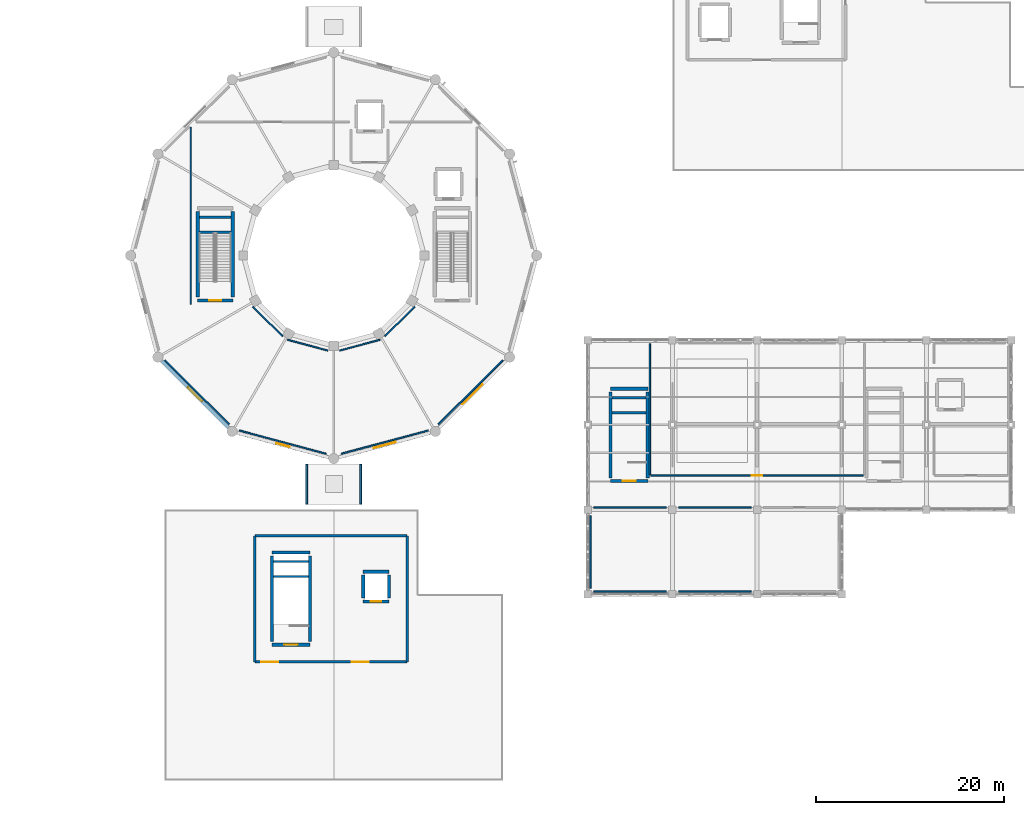
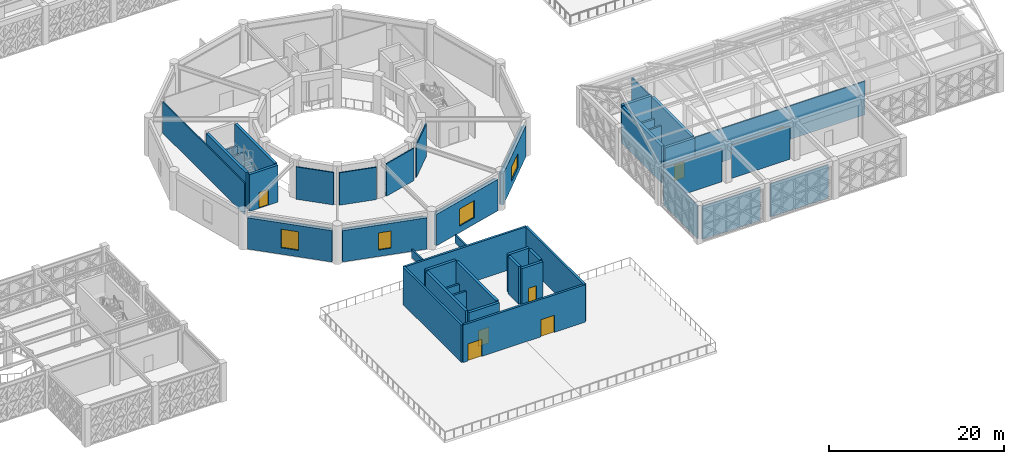
# One storey, part 71 of 86: 47 walls, 7 doors, 4 windows, 11 openings.
"""IFC4 building model written with IfcOpenShell, lengths in metres."""

from ifc_helpers import new_model, si_unit, direction, frame, frame_2d, origin, place, context, subcontext, project, spatial, rectangle, extrude, material, layer, layer_set, type_object, element, fill, save


model = new_model("IFC4")

# Units and contexts
model_context = context("Model", 3, precision=1e-05, world=origin(), true_north=direction((0.0, 1.0)))
body_context = subcontext(model_context, "Body", "Model", "MODEL_VIEW")
ifc_project = project(units=[si_unit("LENGTHUNIT", "METRE"), si_unit("AREAUNIT", "SQUARE_METRE"), si_unit("VOLUMEUNIT", "CUBIC_METRE"), si_unit("PLANEANGLEUNIT", "RADIAN"), si_unit("MASSUNIT", "GRAM", prefix="KILO")], contexts=[model_context])

# Site, building, storey
site_placement = place(None, origin())
site = spatial("IfcSite", under=ifc_project, at=site_placement, CompositionType="ELEMENT")
building_placement = place(site_placement, origin())
building = spatial("IfcBuilding", under=site, at=building_placement, Name="Haizhuo Lancet Aquarium", CompositionType="ELEMENT")
storey_placement = place(building_placement, frame((0.0, 0.0, 16.199951171875)))
storey = spatial("IfcBuildingStorey", under=building, at=storey_placement, Name="L03", CompositionType="ELEMENT", Elevation=16.199951171875)

# Walls
ifc_material_1 = material(Name="Shandong Grey Limestone Ashlar", Category="masonry")
ifc_layer_1 = layer(ifc_material_1, 0.280029296875)
ifc_layer_set_1 = layer_set([ifc_layer_1], Name="Shandong Grey Limestone Ashlar")
wall_type_1 = type_object("IfcWallType", Name="EWL-ASH-280", PredefinedType="SOLIDWALL", material=ifc_layer_set_1)
wall_1_placement = place(storey_placement, frame((-8.39990234375, -29.800048828125, 0.0), z_axis=(0.0, 0.0, 1.0), x_axis=(1.0, 0.0, 0.0)))
element("IfcWall", 1, at=wall_1_placement, inside=storey, type_object=wall_type_1, Name="L03 V4 roof garden pavilion wall 1", PredefinedType="SOLIDWALL", context=body_context, shape_type="SweptSolid", body=[
    extrude(rectangle(XDim=16.199951171875, YDim=0.280029296875, at=frame_2d((8.10009765625, 0.0))), origin(), (0.0, 0.0, 1.0), 5.25),
])
wall_2_placement = place(storey_placement, frame((7.800048828125, -29.800048828125, 0.0), z_axis=(0.0, 0.0, 1.0), x_axis=(0.0, -1.0, 0.0)))
element("IfcWall", 2, at=wall_2_placement, inside=storey, type_object=wall_type_1, Name="L03 V4 roof garden pavilion wall 2", PredefinedType="SOLIDWALL", context=body_context, shape_type="SweptSolid", body=[
    extrude(rectangle(XDim=13.39990234375, YDim=0.280029296875, at=frame_2d((6.699951171875, 0.0))), origin(), (0.0, 0.0, 1.0), 5.25),
])

# Wall, openings, doors
wall_3_placement = place(storey_placement, frame((7.800048828125, -43.199951171875, 0.0), z_axis=(0.0, 0.0, 1.0), x_axis=(-1.0, 0.0, 0.0)))
wall_3 = element("IfcWall", 3, at=wall_3_placement, inside=storey, type_object=wall_type_1, Name="L03 V4 roof garden pavilion wall 3", PredefinedType="SOLIDWALL", context=body_context, shape_type="SweptSolid", body=[
    extrude(rectangle(XDim=16.199951171875, YDim=0.280029296875, at=frame_2d((8.10009765625, 0.0))), origin(), (0.0, 0.0, 1.0), 5.25),
])
opening_1_placement = place(wall_3_placement, frame((4.10009765625, 0.0, 0.0)))
opening_1 = element("IfcOpeningElement", 4, at=opening_1_placement, cuts=wall_3, Name="Opening TD-02", PredefinedType="OPENING", context=body_context, shape_type="SweptSolid", body=[
    extrude(rectangle(XDim=1.800048828125, YDim=2.39990234375, at=frame_2d((0.89990234375, 1.199951171875))), frame((0.0, 0.14990234375, 0.0), z_axis=(0.0, -1.0, 0.0), x_axis=(1.0, 0.0, 0.0)), (0.0, 0.0, 1.0), 0.300029),
])
opening_2_placement = place(wall_3_placement, frame((13.699951171875, 0.0, 0.0)))
opening_2 = element("IfcOpeningElement", 5, at=opening_2_placement, cuts=wall_3, Name="Opening TD-02", PredefinedType="OPENING", context=body_context, shape_type="SweptSolid", body=[
    extrude(rectangle(XDim=1.800048828125, YDim=2.39990234375, at=frame_2d((0.89990234375, 1.199951171875))), frame((0.0, 0.14990234375, 0.0), z_axis=(0.0, -1.0, 0.0), x_axis=(1.0, 0.0, 0.0)), (0.0, 0.0, 1.0), 0.300029),
])
ifc_material_2 = material(Name="Aluminium 6063-T6", Category="aluminium")
door_type_1 = type_object("IfcDoorType", Name="EDR-TERR-1800x2400", OperationType="NOTDEFINED", PredefinedType="DOOR", material=ifc_material_2)
door_1_placement = place(opening_1_placement, origin())
door_1 = element("IfcDoor", 6, at=door_1_placement, inside=storey, type_object=door_type_1, Name="L03 V4 planted roof garden access door 1", OperationType="DOUBLE_DOOR_SINGLE_SWING", OverallHeight=2.39990234375, OverallWidth=1.800048828125, PredefinedType="DOOR", context=body_context, shape_type="SweptSolid", body=[
    extrude(rectangle(XDim=1.800048828125, YDim=2.39990234375, at=frame_2d((0.89990234375, 1.199951171875))), frame((0.0, 0.02490234375, 0.0), z_axis=(0.0, -1.0, 0.0), x_axis=(1.0, 0.0, 0.0)), (0.0, 0.0, 1.0), 0.050048828125),
])
fill(opening_1, door_1)
door_2_placement = place(opening_2_placement, origin())
door_2 = element("IfcDoor", 7, at=door_2_placement, inside=storey, type_object=door_type_1, Name="L03 V4 planted roof garden access door 2", OperationType="DOUBLE_DOOR_SINGLE_SWING", OverallHeight=2.39990234375, OverallWidth=1.800048828125, PredefinedType="DOOR", context=body_context, shape_type="SweptSolid", body=[
    extrude(rectangle(XDim=1.800048828125, YDim=2.39990234375, at=frame_2d((0.89990234375, 1.199951171875))), frame((0.0, 0.02490234375, 0.0), z_axis=(0.0, -1.0, 0.0), x_axis=(1.0, 0.0, 0.0)), (0.0, 0.0, 1.0), 0.050048828125),
])
fill(opening_2, door_2)

# Wall
wall_4_placement = place(storey_placement, frame((-8.39990234375, -43.199951171875, 0.0), z_axis=(0.0, 0.0, 1.0), x_axis=(0.0, 1.0, 0.0)))
element("IfcWall", 8, at=wall_4_placement, inside=storey, type_object=wall_type_1, Name="L03 V4 roof garden pavilion wall 4", PredefinedType="SOLIDWALL", context=body_context, shape_type="SweptSolid", body=[
    extrude(rectangle(XDim=13.39990234375, YDim=0.280029296875, at=frame_2d((6.699951171875, 0.0))), origin(), (0.0, 0.0, 1.0), 5.25),
])

# Wall, opening, window
ifc_layer_2 = layer(ifc_material_1, 0.360107421875)
ifc_layer_set_2 = layer_set([ifc_layer_2], Name="Shandong Grey Limestone Ashlar")
wall_type_2 = type_object("IfcWallType", Name="EWL-ASH-360", PredefinedType="SOLIDWALL", material=ifc_layer_set_2)
wall_5_placement = place(storey_placement, frame((-11.220947265625, -18.284912109375, 0.0), z_axis=(0.0, 0.0, 1.0), x_axis=(-0.707106781187, 0.707106781187, 0.0)))
wall_5 = element("IfcWall", 9, at=wall_5_placement, inside=storey, type_object=wall_type_2, Name="L03 V1 limestone drum wall bay 8", PredefinedType="SOLIDWALL", context=body_context, shape_type="SweptSolid", body=[
    extrude(rectangle(XDim=9.989990234375, YDim=0.360107421875, at=frame_2d((4.9951171875, 0.0))), origin(), (0.0, 0.0, 1.0), 4.385009765625),
])
opening_3_placement = place(wall_5_placement, frame((3.945068359375, 0.0, 0.89990234375)))
opening_3 = element("IfcOpeningElement", 10, at=opening_3_placement, cuts=wall_5, Name="Opening WN-07", PredefinedType="OPENING", context=body_context, shape_type="SweptSolid", body=[
    extrude(rectangle(XDim=2.10009765625, YDim=2.60009765625, at=frame_2d((1.050048828125, 1.300048828125))), frame((0.0, 0.18994140625, 0.0), z_axis=(0.0, -1.0, 0.0), x_axis=(1.0, 0.0, 0.0)), (0.0, 0.0, 1.0), 0.380107),
])
ifc_material_3 = material(Name="Laminated Low-E Glass", Category="glass")
window_type_1 = type_object("IfcWindowType", Name="WIN-LAN-2100x2600", PartitioningType="SINGLE_PANEL", PredefinedType="WINDOW", material=ifc_material_3)
window_1_placement = place(opening_3_placement, origin())
window_1 = element("IfcWindow", 11, at=window_1_placement, inside=storey, type_object=window_type_1, Name="L03 Gothic lancet window 40", OverallHeight=2.60009765625, OverallWidth=2.10009765625, PartitioningType="SINGLE_PANEL", PredefinedType="WINDOW", context=body_context, shape_type="SweptSolid", body=[
    extrude(rectangle(XDim=2.10009765625, YDim=2.60009765625, at=frame_2d((1.050048828125, 1.300048828125))), frame((0.0, 0.030029296875, 0.0), z_axis=(0.0, -1.0, 0.0), x_axis=(1.0, 0.0, 0.0)), (0.0, 0.0, 1.0), 0.06005859375),
])
fill(opening_3, window_1)

wall_6_placement = place(storey_placement, frame((-0.574951171875, -21.446044921875, 0.0), z_axis=(0.0, 0.0, 1.0), x_axis=(-0.965921108134, 0.258836652854, 0.0)))
wall_6 = element("IfcWall", 12, at=wall_6_placement, inside=storey, type_object=wall_type_2, Name="L03 V1 limestone drum wall bay 9", PredefinedType="SOLIDWALL", context=body_context, shape_type="SweptSolid", body=[
    extrude(rectangle(XDim=9.99072265625, YDim=0.360107421875, at=frame_2d((4.995361328125, 0.0))), origin(), (0.0, 0.0, 1.0), 4.385009765625),
])
opening_4_placement = place(wall_6_placement, frame((4.2451171875, 0.0, 0.89990234375)))
opening_4 = element("IfcOpeningElement", 13, at=opening_4_placement, cuts=wall_6, Name="Opening WN-04", PredefinedType="OPENING", context=body_context, shape_type="SweptSolid", body=[
    extrude(rectangle(XDim=1.5, YDim=2.39990234375, at=frame_2d((0.75, 1.199951171875))), frame((0.0, 0.18994140625, 0.0), z_axis=(0.0, -1.0, 0.0), x_axis=(1.0, 0.0, 0.0)), (0.0, 0.0, 1.0), 0.380107),
])
window_type_2 = type_object("IfcWindowType", Name="WIN-LAN-1500x2400", PartitioningType="SINGLE_PANEL", PredefinedType="WINDOW", material=ifc_material_3)
window_2_placement = place(opening_4_placement, origin())
window_2 = element("IfcWindow", 14, at=window_2_placement, inside=storey, type_object=window_type_2, Name="L03 Gothic lancet window 41", OverallHeight=2.39990234375, OverallWidth=1.5, PartitioningType="SINGLE_PANEL", PredefinedType="WINDOW", context=body_context, shape_type="SweptSolid", body=[
    extrude(rectangle(XDim=1.5, YDim=2.39990234375, at=frame_2d((0.75, 1.199951171875))), frame((0.0, 0.030029296875, 0.0), z_axis=(0.0, -1.0, 0.0), x_axis=(1.0, 0.0, 0.0)), (0.0, 0.0, 1.0), 0.06005859375),
])
fill(opening_4, window_2)

wall_7_placement = place(storey_placement, frame((10.22509765625, -18.860107421875, 0.0), z_axis=(0.0, 0.0, 1.0), x_axis=(-0.965921108134, -0.258836652854, 0.0)))
wall_7 = element("IfcWall", 15, at=wall_7_placement, inside=storey, type_object=wall_type_2, Name="L03 V1 limestone drum wall bay 10", PredefinedType="SOLIDWALL", context=body_context, shape_type="SweptSolid", body=[
    extrude(rectangle(XDim=9.99072265625, YDim=0.360107421875, at=frame_2d((4.995361328125, 0.0))), origin(), (0.0, 0.0, 1.0), 4.385009765625),
])
opening_5_placement = place(wall_7_placement, frame((3.794921875, 0.0, 0.89990234375)))
opening_5 = element("IfcOpeningElement", 16, at=opening_5_placement, cuts=wall_7, Name="Opening WN-08", PredefinedType="OPENING", context=body_context, shape_type="SweptSolid", body=[
    extrude(rectangle(XDim=2.39990234375, YDim=2.39990234375, at=frame_2d((1.199951171875, 1.199951171875))), frame((0.0, 0.18994140625, 0.0), z_axis=(0.0, -1.0, 0.0), x_axis=(1.0, 0.0, 0.0)), (0.0, 0.0, 1.0), 0.380107),
])
window_type_3 = type_object("IfcWindowType", Name="WIN-LAN-2400x2400", PartitioningType="SINGLE_PANEL", PredefinedType="WINDOW", material=ifc_material_3)
window_3_placement = place(opening_5_placement, origin())
window_3 = element("IfcWindow", 17, at=window_3_placement, inside=storey, type_object=window_type_3, Name="L03 Gothic lancet window 42", OverallHeight=2.39990234375, OverallWidth=2.39990234375, PartitioningType="SINGLE_PANEL", PredefinedType="WINDOW", context=body_context, shape_type="SweptSolid", body=[
    extrude(rectangle(XDim=2.39990234375, YDim=2.39990234375, at=frame_2d((1.199951171875, 1.199951171875))), frame((0.0, 0.030029296875, 0.0), z_axis=(0.0, -1.0, 0.0), x_axis=(1.0, 0.0, 0.0)), (0.0, 0.0, 1.0), 0.06005859375),
])
fill(opening_5, window_3)

wall_8_placement = place(storey_placement, frame((18.284912109375, -11.220947265625, 0.0), z_axis=(0.0, 0.0, 1.0), x_axis=(-0.707106781187, -0.707106781187, 0.0)))
wall_8 = element("IfcWall", 18, at=wall_8_placement, inside=storey, type_object=wall_type_2, Name="L03 V1 limestone drum wall bay 11", PredefinedType="SOLIDWALL", context=body_context, shape_type="SweptSolid", body=[
    extrude(rectangle(XDim=9.989990234375, YDim=0.360107421875, at=frame_2d((4.9951171875, 0.0))), origin(), (0.0, 0.0, 1.0), 4.385009765625),
])
opening_6_placement = place(wall_8_placement, frame((3.4951171875, 0.0, 0.89990234375)))
opening_6 = element("IfcOpeningElement", 19, at=opening_6_placement, cuts=wall_8, Name="Opening WN-10", PredefinedType="OPENING", context=body_context, shape_type="SweptSolid", body=[
    extrude(rectangle(XDim=3.0, YDim=2.0, at=frame_2d((1.5, 1.0))), frame((0.0, 0.18994140625, 0.0), z_axis=(0.0, -1.0, 0.0), x_axis=(1.0, 0.0, 0.0)), (0.0, 0.0, 1.0), 0.380107),
])
window_type_4 = type_object("IfcWindowType", Name="WIN-LAN-3000x2000", PartitioningType="SINGLE_PANEL", PredefinedType="WINDOW", material=ifc_material_3)
window_4_placement = place(opening_6_placement, origin())
window_4 = element("IfcWindow", 20, at=window_4_placement, inside=storey, type_object=window_type_4, Name="L03 Gothic lancet window 43", OverallHeight=2.0, OverallWidth=3.0, PartitioningType="SINGLE_PANEL", PredefinedType="WINDOW", context=body_context, shape_type="SweptSolid", body=[
    extrude(rectangle(XDim=3.0, YDim=2.0, at=frame_2d((1.5, 1.0))), frame((0.0, 0.030029296875, 0.0), z_axis=(0.0, -1.0, 0.0), x_axis=(1.0, 0.0, 0.0)), (0.0, 0.0, 1.0), 0.06005859375),
])
fill(opening_6, window_4)

# Walls
ifc_layer_3 = layer(ifc_material_1, 0.18994140625)
ifc_layer_set_3 = layer_set([ifc_layer_3], Name="Shandong Grey Limestone Ashlar")
wall_type_3 = type_object("IfcWallType", Name="EWL-PAR-190", PredefinedType="PARAPET", material=ifc_layer_set_3)
for number, where, z_axis, x_axis, name in (
    (21, (-2.8798828125, -26.429931640625, 0.0), (0.0, 0.0, 1.0), (0.0, 1.0, 0.0), "Sky-bridge roof parapet SB-04 W"),
    (22, (2.8798828125, -26.429931640625, 0.0), (0.0, 0.0, 1.0), (0.0, 1.0, 0.0), "Sky-bridge roof parapet SB-04 E"),
):
    element("IfcWall", number, at=place(storey_placement, frame(where, z_axis=z_axis, x_axis=x_axis)), inside=storey, type_object=wall_type_3, Name=name, PredefinedType="PARAPET", context=body_context, shape_type="SweptSolid", body=[
        extrude(rectangle(XDim=4.260009765625, YDim=0.18994140625, at=frame_2d((2.1298828125, 0.0))), origin(), (0.0, 0.0, 1.0), 1.150146484375),
    ])
ifc_material_4 = material(Name="Gypsum Fireboard Partition")
ifc_layer_4 = layer(ifc_material_4, 0.14990234375)
ifc_layer_set_4 = layer_set([ifc_layer_4], Name="Gypsum Fireboard Partition")
wall_type_4 = type_object("IfcWallType", Name="IWL-STD-150", PredefinedType="PARTITIONING", material=ifc_layer_set_4)
wall_9_placement = place(storey_placement, frame((-17.946044921875, -11.135009765625, 0.0), z_axis=(0.0, 0.0, 1.0), x_axis=(0.707056083443, -0.707157475295, 0.0)))
element("IfcWall", 23, at=wall_9_placement, inside=storey, type_object=wall_type_4, Name="L03 partition wall 451", PredefinedType="PARTITIONING", context=body_context, shape_type="SweptSolid", body=[
    extrude(rectangle(XDim=9.631591796875, YDim=0.14990234375, at=frame_2d((4.81591796875, 0.0))), origin(), (0.0, 0.0, 1.0), 4.385009765625),
])
wall_10_placement = place(storey_placement, frame((-10.0400390625, -18.59912109375, 0.0), z_axis=(0.0, 0.0, 1.0), x_axis=(0.965936310931, -0.258779912716, 0.0)))
element("IfcWall", 24, at=wall_10_placement, inside=storey, type_object=wall_type_4, Name="L03 partition wall 452", PredefinedType="PARTITIONING", context=body_context, shape_type="SweptSolid", body=[
    extrude(rectangle(XDim=9.559814453125, YDim=0.14990234375, at=frame_2d((4.77978515625, 0.0))), origin(), (0.0, 0.0, 1.0), 4.385009765625),
])
wall_11_placement = place(storey_placement, frame((0.787109375, -21.076904296875, 0.0), z_axis=(0.0, 0.0, 1.0), x_axis=(0.965965793981, 0.258669837549, 0.0)))
element("IfcWall", 25, at=wall_11_placement, inside=storey, type_object=wall_type_4, Name="L03 partition wall 453", PredefinedType="PARTITIONING", context=body_context, shape_type="SweptSolid", body=[
    extrude(rectangle(XDim=9.578857421875, YDim=0.14990234375, at=frame_2d((4.78955078125, 0.0))), origin(), (0.0, 0.0, 1.0), 4.385009765625),
])
wall_12_placement = place(storey_placement, frame((11.12890625, -17.946044921875, 0.0), z_axis=(0.0, 0.0, 1.0), x_axis=(0.707474066545, 0.706739304953, 0.0)))
element("IfcWall", 26, at=wall_12_placement, inside=storey, type_object=wall_type_4, Name="L03 partition wall 454", PredefinedType="PARTITIONING", context=body_context, shape_type="SweptSolid", body=[
    extrude(rectangle(XDim=9.635986328125, YDim=0.14990234375, at=frame_2d((4.81787109375, 0.0))), origin(), (0.0, 0.0, 1.0), 4.385009765625),
])
wall_13_placement = place(storey_placement, frame((8.593017578125, -5.43994140625, 0.0), z_axis=(0.0, 0.0, 1.0), x_axis=(-0.707106781187, -0.707106781187, 0.0)))
element("IfcWall", 27, at=wall_13_placement, inside=storey, type_object=wall_type_4, Name="L03 partition wall 459", PredefinedType="PARTITIONING", context=body_context, shape_type="SweptSolid", body=[
    extrude(rectangle(XDim=4.459228515625, YDim=0.14990234375, at=frame_2d((2.2294921875, 0.0))), origin(), (0.0, 0.0, 1.0), 4.53515625),
])
for number, where, z_axis, x_axis, name in (
    (28, (4.922119140625, -8.9541015625, 0.0), (0.0, 0.0, 1.0), (-0.965895929323, -0.258930596333, 0.0), "L03 partition wall 460"),
    (29, (-0.639892578125, -10.10205078125, 0.0), (0.0, 0.0, 1.0), (-0.965895929323, 0.258930596333, 0.0), "L03 partition wall 461"),
):
    element("IfcWall", number, at=place(storey_placement, frame(where, z_axis=z_axis, x_axis=x_axis)), inside=storey, type_object=wall_type_4, Name=name, PredefinedType="PARTITIONING", context=body_context, shape_type="SweptSolid", body=[
        extrude(rectangle(XDim=4.433349609375, YDim=0.14990234375, at=frame_2d((2.216796875, 0.0))), origin(), (0.0, 0.0, 1.0), 4.53515625),
    ])
wall_14_placement = place(storey_placement, frame((-5.43994140625, -8.593017578125, 0.0), z_axis=(0.0, 0.0, 1.0), x_axis=(-0.707106781187, 0.707106781187, 0.0)))
element("IfcWall", 30, at=wall_14_placement, inside=storey, type_object=wall_type_4, Name="L03 partition wall 462", PredefinedType="PARTITIONING", context=body_context, shape_type="SweptSolid", body=[
    extrude(rectangle(XDim=4.459228515625, YDim=0.14990234375, at=frame_2d((2.2294921875, 0.0))), origin(), (0.0, 0.0, 1.0), 4.53515625),
])
wall_15_placement = place(storey_placement, frame((-15.199951171875, -5.199951171875, 0.0), z_axis=(0.0, 0.0, 1.0), x_axis=(0.0, 1.0, 0.0)))
element("IfcWall", 31, at=wall_15_placement, inside=storey, type_object=wall_type_4, Name="L03 partition wall 463", PredefinedType="PARTITIONING", context=body_context, shape_type="SweptSolid", body=[
    extrude(rectangle(XDim=18.83984375, YDim=0.14990234375, at=frame_2d((9.419921875, 0.0))), origin(), (0.0, 0.0, 1.0), 4.385009765625),
])
wall_16_placement = place(storey_placement, frame((33.60009765625, -9.389892578125, 0.0), z_axis=(0.0, 0.0, 1.0), x_axis=(0.0, -1.0, 0.0)))
element("IfcWall", 32, at=wall_16_placement, inside=storey, type_object=wall_type_4, Name="L03 partition wall 472", PredefinedType="PARTITIONING", context=body_context, shape_type="SweptSolid", body=[
    extrude(rectangle(XDim=13.91015625, YDim=0.14990234375, at=frame_2d((6.955078125, 0.0))), origin(), (0.0, 0.0, 1.0), 4.635009765625),
])

# Wall, opening, door
wall_17_placement = place(storey_placement, frame((33.699951171875, -23.39990234375, 0.0), z_axis=(0.0, 0.0, 1.0), x_axis=(1.0, 0.0, 0.0)))
wall_17 = element("IfcWall", 33, at=wall_17_placement, inside=storey, type_object=wall_type_4, Name="L03 partition wall 473", PredefinedType="PARTITIONING", context=body_context, shape_type="SweptSolid", body=[
    extrude(rectangle(XDim=22.60009765625, YDim=0.14990234375, at=frame_2d((11.300048828125, 0.0))), origin(), (0.0, 0.0, 1.0), 4.68505859375),
])
opening_7_placement = place(wall_17_placement, frame((10.75, 0.0, 0.0)))
opening_7 = element("IfcOpeningElement", 34, at=opening_7_placement, cuts=wall_17, Name="Opening D-05", PredefinedType="OPENING", context=body_context, shape_type="SweptSolid", body=[
    extrude(rectangle(XDim=1.10009765625, YDim=2.14990234375, at=frame_2d((0.550048828125, 1.074951171875))), frame((0.0, 0.0849609375, 0.0), z_axis=(0.0, -1.0, 0.0), x_axis=(1.0, 0.0, 0.0)), (0.0, 0.0, 1.0), 0.169902),
])
door_type_2 = type_object("IfcDoorType", Name="IDR-CLS-1100x2150", OperationType="NOTDEFINED", PredefinedType="DOOR", material=ifc_material_2)
door_3_placement = place(opening_7_placement, origin())
door_3 = element("IfcDoor", 35, at=door_3_placement, inside=storey, type_object=door_type_2, Name="L03 Marine Education Study Hall door", OperationType="SINGLE_SWING_RIGHT", OverallHeight=2.14990234375, OverallWidth=1.10009765625, PredefinedType="DOOR", context=body_context, shape_type="SweptSolid", body=[
    extrude(rectangle(XDim=1.10009765625, YDim=2.14990234375, at=frame_2d((0.550048828125, 1.074951171875))), frame((0.0, 0.02490234375, 0.0), z_axis=(0.0, -1.0, 0.0), x_axis=(1.0, 0.0, 0.0)), (0.0, 0.0, 1.0), 0.050048828125),
])
fill(opening_7, door_3)

# Walls
wall_18_placement = place(storey_placement, frame((27.300048828125, -27.64990234375, 0.0), z_axis=(0.0, 0.0, 1.0), x_axis=(0.0, -1.0, 0.0)))
element("IfcWall", 36, at=wall_18_placement, inside=storey, type_object=wall_type_4, Name="L03 partition wall 483", PredefinedType="PARTITIONING", context=body_context, shape_type="SweptSolid", body=[
    extrude(rectangle(XDim=7.7001953125, YDim=0.14990234375, at=frame_2d((3.85009765625, 0.0))), origin(), (0.0, 0.0, 1.0), 4.68505859375),
])
wall_19_placement = place(storey_placement, frame((27.639892578125, -35.696044921875, 0.0), z_axis=(0.0, 0.0, 1.0), x_axis=(0.999999871661, -0.00050663367, 0.0)))
element("IfcWall", 37, at=wall_19_placement, inside=storey, type_object=wall_type_4, Name="L03 partition wall 484", PredefinedType="PARTITIONING", context=body_context, shape_type="SweptSolid", body=[
    extrude(rectangle(XDim=7.710205078125, YDim=0.14990234375, at=frame_2d((3.85498046875, 0.0))), origin(), (0.0, 0.0, 1.0), 4.635009765625),
])
wall_20_placement = place(storey_placement, frame((36.64990234375, -35.699951171875, 0.0), z_axis=(0.0, 0.0, 1.0), x_axis=(1.0, 0.0, 0.0)))
element("IfcWall", 38, at=wall_20_placement, inside=storey, type_object=wall_type_4, Name="L03 partition wall 485", PredefinedType="PARTITIONING", context=body_context, shape_type="SweptSolid", body=[
    extrude(rectangle(XDim=7.7001953125, YDim=0.14990234375, at=frame_2d((3.85009765625, 0.0))), origin(), (0.0, 0.0, 1.0), 4.635009765625),
])
for number, where, z_axis, x_axis, name in (
    (39, (44.360107421875, -26.800048828125, 0.0), (0.0, 0.0, 1.0), (-1.0, 0.0, 0.0), "L03 partition wall 489"),
    (40, (35.360107421875, -26.800048828125, 0.0), (0.0, 0.0, 1.0), (-1.0, 0.0, 0.0), "L03 partition wall 490"),
):
    element("IfcWall", number, at=place(storey_placement, frame(where, z_axis=z_axis, x_axis=x_axis)), inside=storey, type_object=wall_type_4, Name=name, PredefinedType="PARTITIONING", context=body_context, shape_type="SweptSolid", body=[
        extrude(rectangle(XDim=7.710205078125, YDim=0.14990234375, at=frame_2d((3.85498046875, 0.0))), origin(), (0.0, 0.0, 1.0), 4.635009765625),
    ])
ifc_material_5 = material(Name="Concrete C40/50", Category="concrete")
ifc_layer_5 = layer(ifc_material_5, 0.35009765625)
ifc_layer_set_5 = layer_set([ifc_layer_5], Name="Concrete C40/50")
wall_type_5 = type_object("IfcWallType", Name="WL-CORE-350", PredefinedType="SHEAR", material=ifc_layer_set_5)
for number, where, z_axis, x_axis, name in (
    (41, (-14.300048828125, 2.47509765625, 0.0), (0.0, 0.0, 1.0), (1.0, 0.0, 0.0), "L03 ST-01 landing support wall"),
    (42, (-14.300048828125, 4.074951171875, 0.0), (0.0, 0.0, 1.0), (1.0, 0.0, 0.0), "L03 ST-01 far landing support wall"),
):
    element("IfcWall", number, at=place(storey_placement, frame(where, z_axis=z_axis, x_axis=x_axis)), inside=storey, type_object=wall_type_5, Name=name, PredefinedType="SHEAR", context=body_context, shape_type="SweptSolid", body=[
        extrude(rectangle(XDim=3.400146484375, YDim=0.25, at=frame_2d((1.7001953125, 0.0))), origin(), (0.0, 0.0, 1.0), 2.5),
    ])

# Wall, opening, door
wall_21_placement = place(storey_placement, frame((-14.47509765625, -4.77490234375, 0.0), z_axis=(0.0, 0.0, 1.0), x_axis=(1.0, 0.0, 0.0)))
wall_21 = element("IfcWall", 43, at=wall_21_placement, inside=storey, type_object=wall_type_5, Name="L03 ST-01 core shear wall S", PredefinedType="SHEAR", context=body_context, shape_type="SweptSolid", body=[
    extrude(rectangle(XDim=3.75, YDim=0.35009765625, at=frame_2d((1.875, 0.0))), origin(), (0.0, 0.0, 1.0), 5.150146484375),
])
opening_8_placement = place(wall_21_placement, frame((1.22509765625, 0.0, 0.0)))
opening_8 = element("IfcOpeningElement", 44, at=opening_8_placement, cuts=wall_21, Name="Opening FD-02", PredefinedType="OPENING", context=body_context, shape_type="SweptSolid", body=[
    extrude(rectangle(XDim=1.300048828125, YDim=2.199951171875, at=frame_2d((0.64990234375, 1.10009765625))), frame((0.0, 0.18505859375, 0.0), z_axis=(0.0, -1.0, 0.0), x_axis=(1.0, 0.0, 0.0)), (0.0, 0.0, 1.0), 0.370098),
])
ifc_material_6 = material(Name="Steel S355", Category="steel")
door_type_3 = type_object("IfcDoorType", Name="IDR-STAIR-1300x2200", OperationType="NOTDEFINED", PredefinedType="DOOR", material=ifc_material_6)
door_4_placement = place(opening_8_placement, origin())
door_4 = element("IfcDoor", 45, at=door_4_placement, inside=storey, type_object=door_type_3, Name="L03 ST-01 stairwell fire door", OperationType="SINGLE_SWING_LEFT", OverallHeight=2.199951171875, OverallWidth=1.300048828125, PredefinedType="DOOR", context=body_context, shape_type="SweptSolid", body=[
    extrude(rectangle(XDim=1.300048828125, YDim=2.199951171875, at=frame_2d((0.64990234375, 1.10009765625))), frame((0.0, 0.02490234375, 0.0), z_axis=(0.0, -1.0, 0.0), x_axis=(1.0, 0.0, 0.0)), (0.0, 0.0, 1.0), 0.050048828125),
])
fill(opening_8, door_4)

# Walls
for number, where, z_axis, x_axis, name in (
    (46, (-14.47509765625, -4.425048828125, 0.0), (0.0, 0.0, 1.0), (0.0, 1.0, 0.0), "L03 ST-01 core shear wall W"),
    (47, (-10.72509765625, -4.425048828125, 0.0), (0.0, 0.0, 1.0), (0.0, 1.0, 0.0), "L03 ST-01 core shear wall E"),
):
    element("IfcWall", number, at=place(storey_placement, frame(where, z_axis=z_axis, x_axis=x_axis)), inside=storey, type_object=wall_type_5, Name=name, PredefinedType="SHEAR", context=body_context, shape_type="SweptSolid", body=[
        extrude(rectangle(XDim=9.10009765625, YDim=0.35009765625, at=frame_2d((4.550048828125, 0.0))), origin(), (0.0, 0.0, 1.0), 5.150146484375),
    ])
for number, where, z_axis, x_axis, name in (
    (48, (29.60009765625, -16.72509765625, 0.0), (0.0, 0.0, 1.0), (1.0, 0.0, 0.0), "L03 ST-04 landing support wall"),
    (49, (29.60009765625, -15.125, 0.0), (0.0, 0.0, 1.0), (1.0, 0.0, 0.0), "L03 ST-04 far landing support wall"),
):
    element("IfcWall", number, at=place(storey_placement, frame(where, z_axis=z_axis, x_axis=x_axis)), inside=storey, type_object=wall_type_5, Name=name, PredefinedType="SHEAR", context=body_context, shape_type="SweptSolid", body=[
        extrude(rectangle(XDim=3.599853515625, YDim=0.25, at=frame_2d((1.7998046875, 0.0))), origin(), (0.0, 0.0, 1.0), 2.5),
    ])

# Wall, opening, door
wall_22_placement = place(storey_placement, frame((29.425048828125, -23.97509765625, 0.0), z_axis=(0.0, 0.0, 1.0), x_axis=(1.0, 0.0, 0.0)))
wall_22 = element("IfcWall", 50, at=wall_22_placement, inside=storey, type_object=wall_type_5, Name="L03 ST-04 core shear wall S", PredefinedType="SHEAR", context=body_context, shape_type="SweptSolid", body=[
    extrude(rectangle(XDim=3.949951171875, YDim=0.35009765625, at=frame_2d((1.97509765625, 0.0))), origin(), (0.0, 0.0, 1.0), 5.150146484375),
])
opening_9_placement = place(wall_22_placement, frame((1.27490234375, 0.0, 0.0)))
opening_9 = element("IfcOpeningElement", 51, at=opening_9_placement, cuts=wall_22, Name="Opening FD-01", PredefinedType="OPENING", context=body_context, shape_type="SweptSolid", body=[
    extrude(rectangle(XDim=1.39990234375, YDim=2.199951171875, at=frame_2d((0.699951171875, 1.10009765625))), frame((0.0, 0.18505859375, 0.0), z_axis=(0.0, -1.0, 0.0), x_axis=(1.0, 0.0, 0.0)), (0.0, 0.0, 1.0), 0.370098),
])
door_type_4 = type_object("IfcDoorType", Name="IDR-STAIR-1400x2200", OperationType="NOTDEFINED", PredefinedType="DOOR", material=ifc_material_6)
door_5_placement = place(opening_9_placement, origin())
door_5 = element("IfcDoor", 52, at=door_5_placement, inside=storey, type_object=door_type_4, Name="L03 ST-04 stairwell fire door", OperationType="SINGLE_SWING_RIGHT", OverallHeight=2.199951171875, OverallWidth=1.39990234375, PredefinedType="DOOR", context=body_context, shape_type="SweptSolid", body=[
    extrude(rectangle(XDim=1.39990234375, YDim=2.199951171875, at=frame_2d((0.699951171875, 1.10009765625))), frame((0.0, 0.02490234375, 0.0), z_axis=(0.0, -1.0, 0.0), x_axis=(1.0, 0.0, 0.0)), (0.0, 0.0, 1.0), 0.050048828125),
])
fill(opening_9, door_5)

# Walls
wall_23_placement = place(storey_placement, frame((29.425048828125, -14.175048828125, 0.0), z_axis=(0.0, 0.0, 1.0), x_axis=(1.0, 0.0, 0.0)))
element("IfcWall", 53, at=wall_23_placement, inside=storey, type_object=wall_type_5, Name="L03 ST-04 core shear wall N", PredefinedType="SHEAR", context=body_context, shape_type="SweptSolid", body=[
    extrude(rectangle(XDim=3.949951171875, YDim=0.35009765625, at=frame_2d((1.97509765625, 0.0))), origin(), (0.0, 0.0, 1.0), 5.150146484375),
])
for number, where, z_axis, x_axis, name in (
    (54, (29.425048828125, -23.625, 0.0), (0.0, 0.0, 1.0), (0.0, 1.0, 0.0), "L03 ST-04 core shear wall W"),
    (55, (33.375, -23.625, 0.0), (0.0, 0.0, 1.0), (0.0, 1.0, 0.0), "L03 ST-04 core shear wall E"),
):
    element("IfcWall", number, at=place(storey_placement, frame(where, z_axis=z_axis, x_axis=x_axis)), inside=storey, type_object=wall_type_5, Name=name, PredefinedType="SHEAR", context=body_context, shape_type="SweptSolid", body=[
        extrude(rectangle(XDim=9.10009765625, YDim=0.35009765625, at=frame_2d((4.550048828125, 0.0))), origin(), (0.0, 0.0, 1.0), 5.150146484375),
    ])
for number, where, z_axis, x_axis, name in (
    (56, (-6.39990234375, -34.125, 0.0), (0.0, 0.0, 1.0), (1.0, 0.0, 0.0), "L03 ST-06 landing support wall"),
    (57, (-6.39990234375, -32.52490234375, 0.0), (0.0, 0.0, 1.0), (1.0, 0.0, 0.0), "L03 ST-06 far landing support wall"),
):
    element("IfcWall", number, at=place(storey_placement, frame(where, z_axis=z_axis, x_axis=x_axis)), inside=storey, type_object=wall_type_5, Name=name, PredefinedType="SHEAR", context=body_context, shape_type="SweptSolid", body=[
        extrude(rectangle(XDim=3.699951171875, YDim=0.25, at=frame_2d((1.85009765625, 0.0))), origin(), (0.0, 0.0, 1.0), 2.5),
    ])

# Wall, opening, door
wall_24_placement = place(storey_placement, frame((-6.574951171875, -41.375, 0.0), z_axis=(0.0, 0.0, 1.0), x_axis=(1.0, 0.0, 0.0)))
wall_24 = element("IfcWall", 58, at=wall_24_placement, inside=storey, type_object=wall_type_5, Name="L03 ST-06 core shear wall S", PredefinedType="SHEAR", context=body_context, shape_type="SweptSolid", body=[
    extrude(rectangle(XDim=4.050048828125, YDim=0.35009765625, at=frame_2d((2.02490234375, 0.0))), origin(), (0.0, 0.0, 1.0), 5.25),
])
opening_10_placement = place(wall_24_placement, frame((1.324951171875, 0.0, 0.0)))
opening_10 = element("IfcOpeningElement", 59, at=opening_10_placement, cuts=wall_24, Name="Opening FD-01", PredefinedType="OPENING", context=body_context, shape_type="SweptSolid", body=[
    extrude(rectangle(XDim=1.39990234375, YDim=2.199951171875, at=frame_2d((0.699951171875, 1.10009765625))), frame((0.0, 0.18505859375, 0.0), z_axis=(0.0, -1.0, 0.0), x_axis=(1.0, 0.0, 0.0)), (0.0, 0.0, 1.0), 0.370098),
])
door_6_placement = place(opening_10_placement, origin())
door_6 = element("IfcDoor", 60, at=door_6_placement, inside=storey, type_object=door_type_4, Name="L03 ST-06 stairwell fire door", OperationType="SINGLE_SWING_RIGHT", OverallHeight=2.199951171875, OverallWidth=1.39990234375, PredefinedType="DOOR", context=body_context, shape_type="SweptSolid", body=[
    extrude(rectangle(XDim=1.39990234375, YDim=2.199951171875, at=frame_2d((0.699951171875, 1.10009765625))), frame((0.0, 0.02490234375, 0.0), z_axis=(0.0, -1.0, 0.0), x_axis=(1.0, 0.0, 0.0)), (0.0, 0.0, 1.0), 0.050048828125),
])
fill(opening_10, door_6)

# Walls
wall_25_placement = place(storey_placement, frame((-6.574951171875, -31.574951171875, 0.0), z_axis=(0.0, 0.0, 1.0), x_axis=(1.0, 0.0, 0.0)))
element("IfcWall", 61, at=wall_25_placement, inside=storey, type_object=wall_type_5, Name="L03 ST-06 core shear wall N", PredefinedType="SHEAR", context=body_context, shape_type="SweptSolid", body=[
    extrude(rectangle(XDim=4.050048828125, YDim=0.35009765625, at=frame_2d((2.02490234375, 0.0))), origin(), (0.0, 0.0, 1.0), 5.25),
])
for number, where, z_axis, x_axis, name in (
    (62, (-6.574951171875, -41.02490234375, 0.0), (0.0, 0.0, 1.0), (0.0, 1.0, 0.0), "L03 ST-06 core shear wall W"),
    (63, (-2.52490234375, -41.02490234375, 0.0), (0.0, 0.0, 1.0), (0.0, 1.0, 0.0), "L03 ST-06 core shear wall E"),
):
    element("IfcWall", number, at=place(storey_placement, frame(where, z_axis=z_axis, x_axis=x_axis)), inside=storey, type_object=wall_type_5, Name=name, PredefinedType="SHEAR", context=body_context, shape_type="SweptSolid", body=[
        extrude(rectangle(XDim=9.099853515625, YDim=0.35009765625, at=frame_2d((4.5498046875, 0.0))), origin(), (0.0, 0.0, 1.0), 5.25),
    ])

# Wall, opening, door
wall_26_placement = place(storey_placement, frame((3.125, -36.77490234375, 0.0), z_axis=(0.0, 0.0, 1.0), x_axis=(1.0, 0.0, 0.0)))
wall_26 = element("IfcWall", 64, at=wall_26_placement, inside=storey, type_object=wall_type_5, Name="L03 LP-03 lift shaft wall -Y", PredefinedType="SHEAR", context=body_context, shape_type="SweptSolid", body=[
    extrude(rectangle(XDim=2.75, YDim=0.35009765625, at=frame_2d((1.375, 0.0))), origin(), (0.0, 0.0, 1.0), 5.25),
])
opening_11_placement = place(wall_26_placement, frame((0.824951171875, 0.0, 0.0)))
opening_11 = element("IfcOpeningElement", 65, at=opening_11_placement, cuts=wall_26, Name="Opening LD-01", PredefinedType="OPENING", context=body_context, shape_type="SweptSolid", body=[
    extrude(rectangle(XDim=1.10009765625, YDim=2.199951171875, at=frame_2d((0.550048828125, 1.10009765625))), frame((0.0, 0.18505859375, 0.0), z_axis=(0.0, -1.0, 0.0), x_axis=(1.0, 0.0, 0.0)), (0.0, 0.0, 1.0), 0.370098),
])
door_type_5 = type_object("IfcDoorType", Name="IDR-LIFT-1100x2200", OperationType="NOTDEFINED", PredefinedType="DOOR", material=ifc_material_6)
door_7_placement = place(opening_11_placement, origin())
door_7 = element("IfcDoor", 66, at=door_7_placement, inside=storey, type_object=door_type_5, Name="L03 LP-03 sliding lift landing door", OperationType="DOUBLE_DOOR_SLIDING", OverallHeight=2.199951171875, OverallWidth=1.10009765625, PredefinedType="DOOR", context=body_context, shape_type="SweptSolid", body=[
    extrude(rectangle(XDim=1.10009765625, YDim=2.199951171875, at=frame_2d((0.550048828125, 1.10009765625))), frame((0.0, 0.02490234375, 0.0), z_axis=(0.0, -1.0, 0.0), x_axis=(1.0, 0.0, 0.0)), (0.0, 0.0, 1.0), 0.050048828125),
])
fill(opening_11, door_7)

# Walls
wall_27_placement = place(storey_placement, frame((5.875, -33.625, 0.0), z_axis=(0.0, 0.0, 1.0), x_axis=(-1.0, 0.0, 0.0)))
element("IfcWall", 67, at=wall_27_placement, inside=storey, type_object=wall_type_5, Name="L03 LP-03 lift shaft wall +Y", PredefinedType="SHEAR", context=body_context, shape_type="SweptSolid", body=[
    extrude(rectangle(XDim=2.75, YDim=0.35009765625, at=frame_2d((1.375, 0.0))), origin(), (0.0, 0.0, 1.0), 5.25),
])
for number, where, z_axis, x_axis, name in (
    (68, (3.125, -36.425048828125, 0.0), (0.0, 0.0, 1.0), (0.0, 1.0, 0.0), "L03 LP-03 lift shaft wall -X"),
    (69, (5.875, -36.425048828125, 0.0), (0.0, 0.0, 1.0), (0.0, 1.0, 0.0), "L03 LP-03 lift shaft wall +X"),
):
    element("IfcWall", number, at=place(storey_placement, frame(where, z_axis=z_axis, x_axis=x_axis)), inside=storey, type_object=wall_type_5, Name=name, PredefinedType="SHEAR", context=body_context, shape_type="SweptSolid", body=[
        extrude(rectangle(XDim=2.449951171875, YDim=0.35009765625, at=frame_2d((1.22509765625, 0.0))), origin(), (0.0, 0.0, 1.0), 5.25),
    ])

save(model, "model.ifc")
